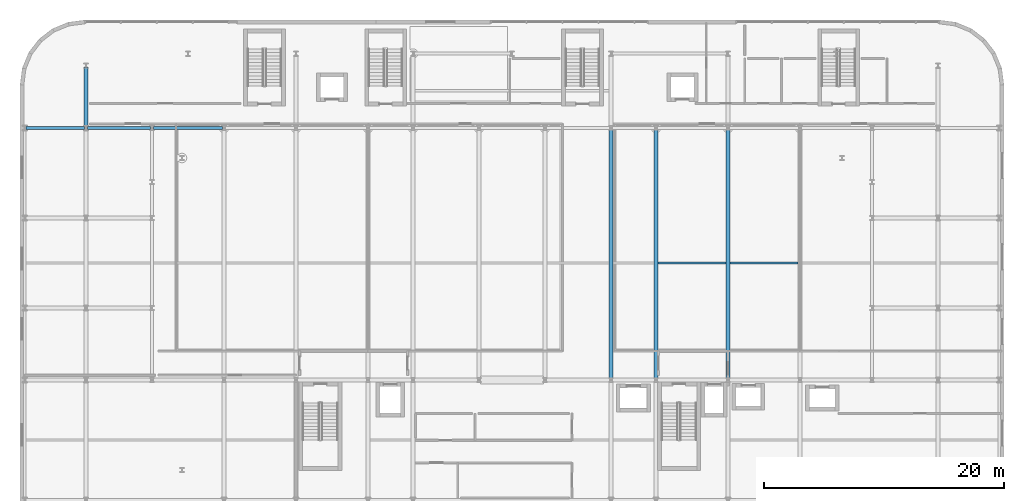
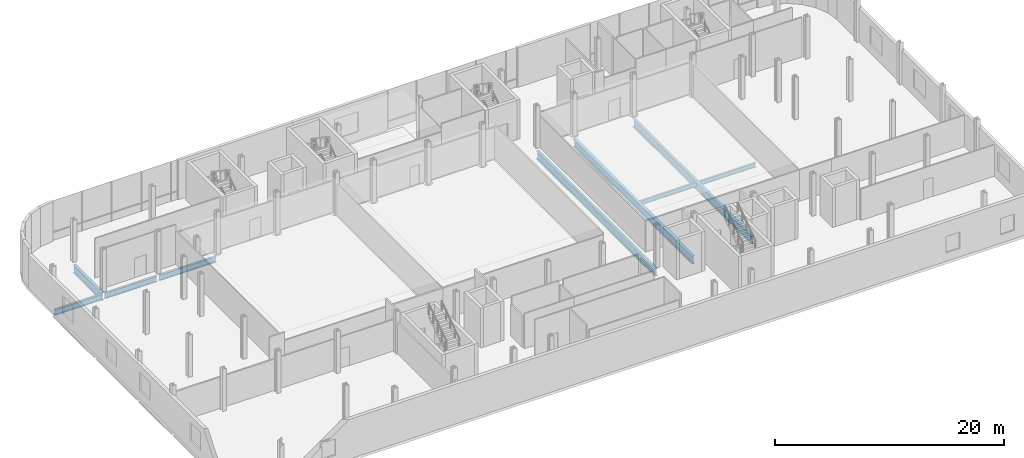
# One storey, part 4 of 25: 9 beams.
"""IFC4 building model written with IfcOpenShell, lengths in metres."""

from ifc_helpers import new_model, si_unit, direction, frame, origin, origin_2d, place, context, subcontext, project, spatial, i_section, extrude, material, material_profile, profile_set, type_object, element, save


model = new_model("IFC4")

# Units and contexts
model_context = context("Model", 3, precision=1e-05, world=origin(), true_north=direction((0.0, 1.0)))
body_context = subcontext(model_context, "Body", "Model", "MODEL_VIEW")
ifc_project = project(units=[si_unit("LENGTHUNIT", "METRE"), si_unit("AREAUNIT", "SQUARE_METRE"), si_unit("VOLUMEUNIT", "CUBIC_METRE"), si_unit("PLANEANGLEUNIT", "RADIAN"), si_unit("MASSUNIT", "GRAM", prefix="KILO")], contexts=[model_context])

# Site, building, storey
site_placement = place(None, origin())
site = spatial("IfcSite", under=ifc_project, at=site_placement, CompositionType="ELEMENT")
building_placement = place(site_placement, origin())
building = spatial("IfcBuilding", under=site, at=building_placement, Name="Brevholm Reach", CompositionType="ELEMENT")
storey_placement = place(building_placement, frame((0.0, 0.0, 13.5)))
storey = spatial("IfcBuildingStorey", under=building, at=storey_placement, Name="L03", CompositionType="ELEMENT", Elevation=13.5)

# Beams
ifc_material_1 = material(Name="Structural Steel S355J2", Category="steel")
ifc_material_profile_1 = material_profile(ifc_material_1, i_section(OverallWidth=0.1904296875, OverallDepth=0.45703125, WebThickness=0.009033203125, FlangeThickness=0.014404296875, FilletRadius=0.01025390625, at=origin_2d()), Name="UKB 457x191x74")
ifc_profile_set_1 = profile_set([ifc_material_profile_1], Name="Structural Steel S355J2")
beam_type_1 = type_object("IfcBeamType", Name="BM-B457", PredefinedType="BEAM", material=ifc_profile_set_1)
for number, where, z_axis, x_axis, name in (
    (1, (42.14697265625, 19.75, -0.508544921875), (1.0, 0.0, 0.0), (0.0, 1.0, 0.0), "L03 Composite Secondary Floor Beam"),
    (2, (48.14697265625, 19.75, -0.508544921875), (1.0, 0.0, 0.0), (0.0, 1.0, 0.0), "L03 Composite Secondary Floor Beam"),
):
    element("IfcBeam", number, at=place(storey_placement, frame(where, z_axis=z_axis, x_axis=x_axis)), inside=storey, type_object=beam_type_1, Name=name, PredefinedType="BEAM", context=body_context, shape_type="SweptSolid", body=[
        extrude(i_section(OverallWidth=0.1904296875, OverallDepth=0.45703125, WebThickness=0.009033203125, FlangeThickness=0.014404296875, FilletRadius=0.01025390625, at=origin_2d()), origin(), (0.0, 0.0, 1.0), 5.7060546875),
    ])
ifc_material_2 = material(Name="Structural Steel S355J2", Category="steel")
ifc_material_profile_2 = material_profile(ifc_material_2, i_section(OverallWidth=0.22900390625, OverallDepth=0.6123046875, WebThickness=0.011962890625, FlangeThickness=0.01953125, FilletRadius=0.0126953125, at=origin_2d()), Name="UKB 610x229x125")
ifc_profile_set_2 = profile_set([ifc_material_profile_2], Name="Structural Steel S355J2")
beam_type_2 = type_object("IfcBeamType", Name="BM-SP610", PredefinedType="SPANDREL", material=ifc_profile_set_2)
beam_1_placement = place(storey_placement, frame((-10.47998046875, 31.0, -0.586181640625), z_axis=(1.0, 0.0, 0.0), x_axis=(0.0, 1.0, 0.0)))
element("IfcBeam", 3, at=beam_1_placement, inside=storey, type_object=beam_type_2, Name="L03 SP-01 Framing Beam", PredefinedType="SPANDREL", context=body_context, shape_type="SweptSolid", body=[
    extrude(i_section(OverallWidth=0.22900390625, OverallDepth=0.6123046875, WebThickness=0.011962890625, FlangeThickness=0.01953125, FilletRadius=0.0126953125, at=origin_2d()), origin(), (0.0, 0.0, 1.0), 4.85986328125),
])
beam_2_placement = place(storey_placement, frame((-5.3798828125, 31.0, -0.586181640625), z_axis=(1.0, 0.0, 0.0), x_axis=(0.0, 1.0, 0.0)))
element("IfcBeam", 4, at=beam_2_placement, inside=storey, type_object=beam_type_2, Name="L03 SP-01 Framing Beam", PredefinedType="SPANDREL", context=body_context, shape_type="SweptSolid", body=[
    extrude(i_section(OverallWidth=0.22900390625, OverallDepth=0.6123046875, WebThickness=0.011962890625, FlangeThickness=0.01953125, FilletRadius=0.0126953125, at=origin_2d()), origin(), (0.0, 0.0, 1.0), 5.259765625),
])
beam_3_placement = place(storey_placement, frame((0.1201171875, 31.0, -0.586181640625), z_axis=(1.0, 0.0, 0.0), x_axis=(0.0, 1.0, 0.0)))
element("IfcBeam", 5, at=beam_3_placement, inside=storey, type_object=beam_type_2, Name="L03 SP-01 Framing Beam", PredefinedType="SPANDREL", context=body_context, shape_type="SweptSolid", body=[
    extrude(i_section(OverallWidth=0.22900390625, OverallDepth=0.6123046875, WebThickness=0.011962890625, FlangeThickness=0.01953125, FilletRadius=0.0126953125, at=origin_2d()), origin(), (0.0, 0.0, 1.0), 5.759765625),
])
ifc_material_3 = material(Name="Structural Steel S355J2", Category="steel")
ifc_material_profile_3 = material_profile(ifc_material_3, i_section(OverallWidth=0.293701171875, OverallDepth=0.850830078125, WebThickness=0.01611328125, FlangeThickness=0.02685546875, FilletRadius=0.017822265625, at=origin_2d()), Name="UKB 838x292x226")
ifc_profile_set_3 = profile_set([ifc_material_profile_3], Name="Structural Steel S355J2")
beam_type_3 = type_object("IfcBeamType", Name="BM-UKB838", PredefinedType="USERDEFINED", material=ifc_profile_set_3)
beam_4_placement = place(storey_placement, frame((-5.5, 31.1201171875, -0.70556640625), z_axis=(0.0, 1.0, 0.0), x_axis=(-1.0, 0.0, 0.0)))
element("IfcBeam", 6, at=beam_4_placement, inside=storey, type_object=beam_type_3, Name="L03 G-03 Framing Beam", ObjectType="GIRDER", PredefinedType="USERDEFINED", context=body_context, shape_type="SweptSolid", body=[
    extrude(i_section(OverallWidth=0.293701171875, OverallDepth=0.850830078125, WebThickness=0.01611328125, FlangeThickness=0.02685546875, FilletRadius=0.017822265625, at=origin_2d()), origin(), (0.0, 0.0, 1.0), 4.9599609375),
])
for number, where, z_axis, x_axis, name in (
    (7, (38.25, 10.1201171875, -0.70556640625), (0.0, 1.0, 0.0), (-1.0, 0.0, 0.0), "L03 G-03 Framing Beam"),
    (8, (42.0, 10.1201171875, -0.70556640625), (0.0, 1.0, 0.0), (-1.0, 0.0, 0.0), "L03 G-03 Framing Beam"),
    (9, (48.0, 10.1201171875, -0.70556640625), (0.0, 1.0, 0.0), (-1.0, 0.0, 0.0), "L03 G-03 Framing Beam"),
):
    element("IfcBeam", number, at=place(storey_placement, frame(where, z_axis=z_axis, x_axis=x_axis)), inside=storey, type_object=beam_type_3, Name=name, ObjectType="GIRDER", PredefinedType="USERDEFINED", context=body_context, shape_type="SweptSolid", body=[
        extrude(i_section(OverallWidth=0.293701171875, OverallDepth=0.850830078125, WebThickness=0.01611328125, FlangeThickness=0.02685546875, FilletRadius=0.017822265625, at=origin_2d()), origin(), (0.0, 0.0, 1.0), 20.759765625),
    ])

save(model, "model.ifc")
